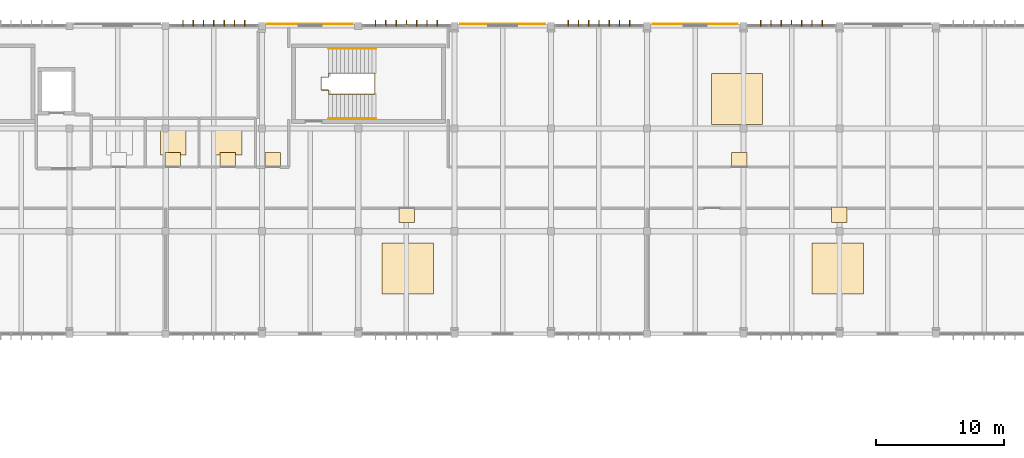
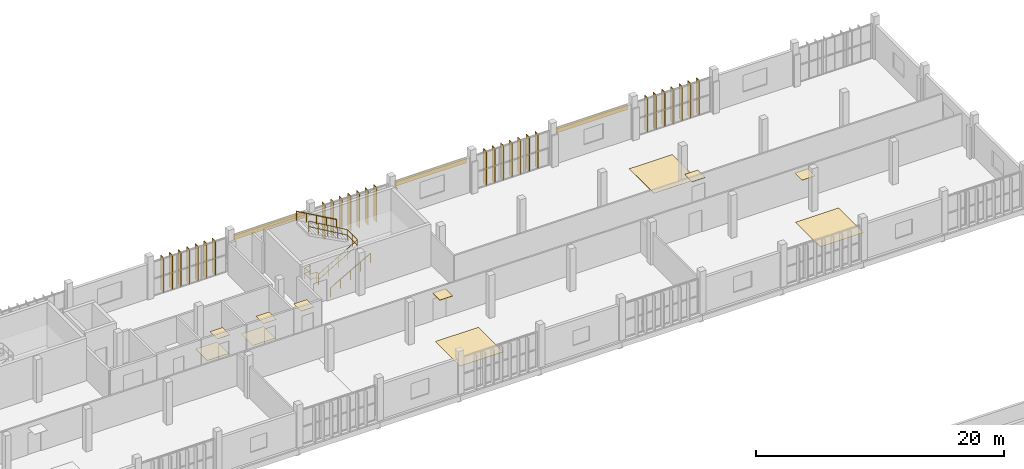
# One storey, part 57 of 61: 28 shading devices, 14 coverings, 4 railings.
"""IFC4 building model written with IfcOpenShell, lengths in metres."""

from ifc_helpers import new_model, si_unit, direction, frame, origin, origin_2d, place, context, subcontext, project, spatial, rectangle, circle, extrude, material, layer, layer_set, material_profile, profile_set, type_object, element, save


model = new_model("IFC4")

# Units and contexts
model_context = context("Model", 3, precision=1e-05, world=origin(), true_north=direction((0.0, 1.0)))
body_context = subcontext(model_context, "Body", "Model", "MODEL_VIEW")
ifc_project = project(units=[si_unit("LENGTHUNIT", "METRE"), si_unit("AREAUNIT", "SQUARE_METRE"), si_unit("VOLUMEUNIT", "CUBIC_METRE"), si_unit("PLANEANGLEUNIT", "RADIAN"), si_unit("MASSUNIT", "GRAM", prefix="KILO")], contexts=[model_context])

# Site, building, storey
site_placement = place(None, origin())
site = spatial("IfcSite", under=ifc_project, at=site_placement, CompositionType="ELEMENT")
building_placement = place(site_placement, origin())
building = spatial("IfcBuilding", under=site, at=building_placement, Name="Vourika Railside Aquatics Centre", CompositionType="ELEMENT")
storey_placement = place(building_placement, frame((0.0, 0.0, 9.300048828125)))
storey = spatial("IfcBuildingStorey", under=building, at=storey_placement, Name="L02", CompositionType="ELEMENT", Elevation=9.300048828125)

# Coverings
ifc_material_1 = material(Name="Perforated moisture-resistant acoustic gypsum ceiling")
ifc_layer_1 = layer(ifc_material_1, 0.02490234375, Name="COV-CEIL-25")
ifc_layer_set_1 = layer_set([ifc_layer_1], Name="Perforated moisture-resistant acoustic gypsum ceiling")
covering_type_1 = type_object("IfcCoveringType", Name="COV-CEIL-25", PredefinedType="CEILING", material=ifc_layer_set_1)
for number, where, z_axis, x_axis, name in (
    (1, (66.534912109375, 105.52001953125, 2.637451171875), (0.0, 0.0, 1.0), (1.0, 0.0, 0.0), "Media and Lab Female WC Acoustic Ceiling Panel"),
    (2, (70.8349609375, 105.52001953125, 2.637451171875), (0.0, 0.0, 1.0), (1.0, 0.0, 0.0), "Media and Lab Accessible WC Acoustic Ceiling Panel"),
    (3, (84.77490234375, 101.280029296875, 2.637451171875), (0.0, 0.0, 1.0), (1.0, 0.0, 0.0), "Aquatic Biomechanics Motion-Capture Laboratory Acoustic Ceiling Panel"),
    (4, (118.467529296875, 101.280029296875, 2.637451171875), (0.0, 0.0, 1.0), (1.0, 0.0, 0.0), "Exercise Physiology and VO2 Testing Laboratory Acoustic Ceiling Panel"),
    (5, (110.6923828125, 105.52001953125, 2.637451171875), (0.0, 0.0, 1.0), (1.0, 0.0, 0.0), "Rehabilitation Gait and Isokinetic Laboratory Acoustic Ceiling Panel"),
    (6, (74.3349609375, 105.52001953125, 2.637451171875), (0.0, 0.0, 1.0), (1.0, 0.0, 0.0), "Calibration and Telemetry Equipment Store Acoustic Ceiling Panel"),
):
    element("IfcCovering", number, at=place(storey_placement, frame(where, z_axis=z_axis, x_axis=x_axis)), inside=storey, type_object=covering_type_1, Name=name, PredefinedType="CEILING", context=body_context, shape_type="SweptSolid", body=[
        extrude(rectangle(XDim=1.199951171875, YDim=1.199951171875, at=origin_2d()), origin(), (0.0, 0.0, 1.0), 0.02490234375),
    ])
ifc_material_2 = material(Name="Bronze-anodized aluminium rainscreen", Category="aluminium")
ifc_layer_2 = layer(ifc_material_2, 0.044921875, Name="COV-CLAD-45")
ifc_layer_set_2 = layer_set([ifc_layer_2], Name="Bronze-anodized aluminium rainscreen")
covering_type_2 = type_object("IfcCoveringType", Name="COV-CLAD-45", PredefinedType="CLADDING", material=ifc_layer_set_2)
for number, where, z_axis, x_axis, name in (
    (7, (77.25, 116.155029296875, 2.794921875), (0.0, 0.0, 1.0), (-1.0, 0.0, 0.0), "Perforated Bronze Rainscreen Band CL-059"),
    (8, (92.25, 116.155029296875, 2.794921875), (0.0, 0.0, 1.0), (-1.0, 0.0, 0.0), "Perforated Bronze Rainscreen Band CL-060"),
    (9, (107.25, 116.155029296875, 2.78515625), (0.0, 0.0, 1.0), (-1.0, 0.0, 0.0), "Perforated Bronze Rainscreen Band CL-061"),
):
    element("IfcCovering", number, at=place(storey_placement, frame(where, z_axis=z_axis, x_axis=x_axis)), inside=storey, type_object=covering_type_2, Name=name, PredefinedType="CLADDING", context=body_context, shape_type="SweptSolid", body=[
        extrude(rectangle(XDim=6.64990234375, YDim=0.044921875, at=origin_2d()), origin(), (0.0, 0.0, 1.0), 0.550048828125),
    ])
ifc_material_3 = material(Name="Slip-resistant aqua ceramic sports flooring")
ifc_layer_3 = layer(ifc_material_3, 0.02001953125, Name="COV-FLOR-20")
ifc_layer_set_3 = layer_set([ifc_layer_3], Name="Slip-resistant aqua ceramic sports flooring")
covering_type_3 = type_object("IfcCoveringType", Name="COV-FLOR-20", PredefinedType="FLOORING", material=ifc_layer_set_3)
covering_1_placement = place(storey_placement, frame((66.60009765625, 106.89990234375, 0.0), z_axis=(0.0, 0.0, 1.0), x_axis=(1.0, 0.0, 0.0)))
element("IfcCovering", 10, at=covering_1_placement, inside=storey, type_object=covering_type_3, Name="Media and Lab Female WC Sports Flooring Panel", PredefinedType="FLOORING", context=body_context, shape_type="SweptSolid", body=[
    extrude(rectangle(XDim=2.0, YDim=1.89990234375, at=origin_2d()), origin(), (0.0, 0.0, 1.0), 0.02001953125),
])
covering_2_placement = place(storey_placement, frame((70.89990234375, 106.89990234375, 0.0), z_axis=(0.0, 0.0, 1.0), x_axis=(1.0, 0.0, 0.0)))
element("IfcCovering", 11, at=covering_2_placement, inside=storey, type_object=covering_type_3, Name="Media and Lab Accessible WC Sports Flooring Panel", PredefinedType="FLOORING", context=body_context, shape_type="SweptSolid", body=[
    extrude(rectangle(XDim=2.10009765625, YDim=1.89990234375, at=origin_2d()), origin(), (0.0, 0.0, 1.0), 0.02001953125),
])
for number, where, z_axis, x_axis, name in (
    (12, (84.85009765625, 97.10009765625, 0.0), (0.0, 0.0, 1.0), (1.0, 0.0, 0.0), "Aquatic Biomechanics Motion-Capture Laboratory Sports Flooring Panel"),
    (13, (118.35009765625, 97.10009765625, 0.0), (0.0, 0.0, 1.0), (1.0, 0.0, 0.0), "Exercise Physiology and VO2 Testing Laboratory Sports Flooring Panel"),
    (14, (110.5, 110.300048828125, 0.0), (0.0, 0.0, 1.0), (1.0, 0.0, 0.0), "Rehabilitation Gait and Isokinetic Laboratory Sports Flooring Panel"),
):
    element("IfcCovering", number, at=place(storey_placement, frame(where, z_axis=z_axis, x_axis=x_axis)), inside=storey, type_object=covering_type_3, Name=name, PredefinedType="FLOORING", context=body_context, shape_type="SweptSolid", body=[
        extrude(rectangle(XDim=4.0, YDim=4.0, at=origin_2d()), origin(), (0.0, 0.0, 1.0), 0.02001953125),
    ])

# Railings
ifc_material_4 = material(Name="Duplex stainless steel EN 1.4462", Category="steel")
railing_type_1 = type_object("IfcRailingType", Name="RL-HAND-920", PredefinedType="HANDRAIL", material=ifc_material_4)
railing_1_placement = place(storey_placement, frame((78.699951171875, 108.760009765625, 0.0)))
element("IfcRailing", 15, at=railing_1_placement, inside=storey, type_object=railing_type_1, Name="Protected Exit Stair Core ST03 Lower Wall Handrail (L02)", PredefinedType="HANDRAIL", context=body_context, shape_type="SweptSolid", body=[
    extrude(circle(Radius=0.02392578125, at=origin_2d()), frame((0.0, 0.0, 0.89599609375), z_axis=(0.869473936924, 0.0, 0.493978818382), x_axis=(0.0, 1.0, 0.0)), (0.0, 0.0, 1.0), 4.2509765625),
    extrude(circle(Radius=0.02099609375, at=origin_2d()), origin(), (0.0, 0.0, 1.0), 0.871826171875),
    extrude(circle(Radius=0.02099609375, at=origin_2d()), frame((0.924072265625, 0.0, 0.52490234375)), (0.0, 0.0, 1.0), 0.871826171875),
    extrude(circle(Radius=0.02099609375, at=origin_2d()), frame((1.84814453125, 0.0, 1.0498046875)), (0.0, 0.0, 1.0), 0.871826171875),
    extrude(circle(Radius=0.02099609375, at=origin_2d()), frame((2.77197265625, 0.0, 1.574951171875)), (0.0, 0.0, 1.0), 0.871826171875),
    extrude(circle(Radius=0.02099609375, at=origin_2d()), frame((3.696044921875, 0.0, 2.099853515625)), (0.0, 0.0, 1.0), 0.871826171875),
])
railing_2_placement = place(storey_placement, frame((82.39599609375, 114.239990234375, 2.099853515625)))
element("IfcRailing", 16, at=railing_2_placement, inside=storey, type_object=railing_type_1, Name="Protected Exit Stair Core ST03 Upper Wall Handrail (L02)", PredefinedType="HANDRAIL", context=body_context, shape_type="SweptSolid", body=[
    extrude(circle(Radius=0.02392578125, at=origin_2d()), frame((0.0, 0.0, 0.89599609375), z_axis=(-0.869449269089, 0.0, 0.494022234804), x_axis=(0.0, -1.0, 0.0)), (0.0, 0.0, 1.0), 4.2509765625),
    extrude(circle(Radius=0.02099609375, at=origin_2d()), origin(), (0.0, 0.0, 1.0), 0.871826171875),
    extrude(circle(Radius=0.02099609375, at=origin_2d()), frame((-0.924072265625, 0.0, 0.52490234375)), (0.0, 0.0, 1.0), 0.871826171875),
    extrude(circle(Radius=0.02099609375, at=origin_2d()), frame((-1.84814453125, 0.0, 1.050048828125)), (0.0, 0.0, 1.0), 0.871826171875),
    extrude(circle(Radius=0.02099609375, at=origin_2d()), frame((-2.77197265625, 0.0, 1.5751953125)), (0.0, 0.0, 1.0), 0.871826171875),
    extrude(circle(Radius=0.02099609375, at=origin_2d()), frame((-3.696044921875, 0.0, 2.10009765625)), (0.0, 0.0, 1.0), 0.871826171875),
])
railing_type_2 = type_object("IfcRailingType", Name="RL-STAIR-1120", PredefinedType="BALUSTRADE", material=ifc_material_4)
railing_3_placement = place(storey_placement, frame((78.699951171875, 110.75, 0.0)))
element("IfcRailing", 17, at=railing_3_placement, inside=storey, type_object=railing_type_2, Name="Protected Exit Stair Core ST03 Well Edge Guard (L02)", PredefinedType="BALUSTRADE", context=body_context, shape_type="SweptSolid", body=[
    extrude(circle(Radius=0.02392578125, at=origin_2d()), frame((0.0, 0.0, 1.09619140625), z_axis=(0.0, 1.0, 0.0), x_axis=(-1.0, 0.0, 0.0)), (0.0, 0.0, 1.0), 0.25),
    extrude(circle(Radius=0.02392578125, at=origin_2d()), frame((0.0, 0.0, 0.56005859375), z_axis=(0.0, 1.0, 0.0), x_axis=(-1.0, 0.0, 0.0)), (0.0, 0.0, 1.0), 0.25),
    extrude(circle(Radius=0.02392578125, at=origin_2d()), frame((0.0, 0.25, 1.09619140625), z_axis=(-1.0, 0.0, 0.0), x_axis=(0.0, -1.0, 0.0)), (0.0, 0.0, 1.0), 0.570068359375),
    extrude(circle(Radius=0.02392578125, at=origin_2d()), frame((0.0, 0.25, 0.56005859375), z_axis=(-1.0, 0.0, 0.0), x_axis=(0.0, -1.0, 0.0)), (0.0, 0.0, 1.0), 0.570068359375),
    extrude(circle(Radius=0.02392578125, at=origin_2d()), frame((-0.570068359375, 0.25, 1.09619140625), z_axis=(0.0, 1.0, 0.0), x_axis=(-1.0, 0.0, 0.0)), (0.0, 0.0, 1.0), 1.0),
    extrude(circle(Radius=0.02392578125, at=origin_2d()), frame((-0.570068359375, 0.25, 0.56005859375), z_axis=(0.0, 1.0, 0.0), x_axis=(-1.0, 0.0, 0.0)), (0.0, 0.0, 1.0), 1.0),
    extrude(circle(Radius=0.02392578125, at=origin_2d()), frame((-0.570068359375, 1.25, 1.09619140625), z_axis=(1.0, 0.0, 0.0), x_axis=(0.0, 1.0, 0.0)), (0.0, 0.0, 1.0), 0.570068359375),
    extrude(circle(Radius=0.02392578125, at=origin_2d()), frame((-0.570068359375, 1.25, 0.56005859375), z_axis=(1.0, 0.0, 0.0), x_axis=(0.0, 1.0, 0.0)), (0.0, 0.0, 1.0), 0.570068359375),
    extrude(circle(Radius=0.02392578125, at=origin_2d()), frame((0.0, 1.25, 1.09619140625), z_axis=(0.0, 1.0, 0.0), x_axis=(-1.0, 0.0, 0.0)), (0.0, 0.0, 1.0), 0.25),
    extrude(circle(Radius=0.02392578125, at=origin_2d()), frame((0.0, 1.25, 0.56005859375), z_axis=(0.0, 1.0, 0.0), x_axis=(-1.0, 0.0, 0.0)), (0.0, 0.0, 1.0), 0.25),
    extrude(circle(Radius=0.02099609375, at=origin_2d()), origin(), (0.0, 0.0, 1.0), 1.072021484375),
    extrude(circle(Radius=0.02099609375, at=origin_2d()), frame((0.0, 0.25, 0.0)), (0.0, 0.0, 1.0), 1.072021484375),
    extrude(circle(Radius=0.02099609375, at=origin_2d()), frame((-0.570068359375, 0.25, 0.0)), (0.0, 0.0, 1.0), 1.072021484375),
    extrude(circle(Radius=0.02099609375, at=origin_2d()), frame((-0.570068359375, 1.25, 0.0)), (0.0, 0.0, 1.0), 1.072021484375),
    extrude(circle(Radius=0.02099609375, at=origin_2d()), frame((0.0, 1.25, 0.0)), (0.0, 0.0, 1.0), 1.072021484375),
    extrude(circle(Radius=0.02099609375, at=origin_2d()), frame((0.0, 1.5, 0.0)), (0.0, 0.0, 1.0), 1.072021484375),
])
railing_4_placement = place(storey_placement, frame((78.699951171875, 110.679931640625, 0.0)))
element("IfcRailing", 18, at=railing_4_placement, inside=storey, type_object=railing_type_2, Name="Protected Exit Stair Core ST03 Center Well Guard (L02)", PredefinedType="BALUSTRADE", context=body_context, shape_type="SweptSolid", body=[
    extrude(circle(Radius=0.02392578125, at=origin_2d()), frame((0.0, 0.0, 1.09619140625), z_axis=(0.863547027374, 0.0, 0.504268313018), x_axis=(0.0, 1.0, 0.0)), (0.0, 0.0, 1.0), 4.1640625),
    extrude(circle(Radius=0.02392578125, at=origin_2d()), frame((0.0, 0.0, 0.56005859375), z_axis=(0.863547027374, 0.0, 0.504268313018), x_axis=(0.0, 1.0, 0.0)), (0.0, 0.0, 1.0), 4.1640625),
    extrude(circle(Radius=0.02392578125, at=origin_2d()), frame((3.595947265625, 0.0, 3.19580078125), z_axis=(0.0, 1.0, 0.0), x_axis=(-1.0, 0.0, 0.0)), (0.0, 0.0, 1.0), 1.64013671875),
    extrude(circle(Radius=0.02392578125, at=origin_2d()), frame((3.595947265625, 0.0, 2.659912109375), z_axis=(0.0, 1.0, 0.0), x_axis=(-1.0, 0.0, 0.0)), (0.0, 0.0, 1.0), 1.64013671875),
    extrude(circle(Radius=0.02392578125, at=origin_2d()), frame((3.595947265625, 1.64013671875, 3.19580078125), z_axis=(-0.863521496458, 0.0, 0.504312031539), x_axis=(0.0, -1.0, 0.0)), (0.0, 0.0, 1.0), 4.164306640625),
    extrude(circle(Radius=0.02392578125, at=origin_2d()), frame((3.595947265625, 1.64013671875, 2.659912109375), z_axis=(-0.863521496458, 0.0, 0.504312031539), x_axis=(0.0, -1.0, 0.0)), (0.0, 0.0, 1.0), 4.164306640625),
    extrude(circle(Radius=0.02099609375, at=origin_2d()), origin(), (0.0, 0.0, 1.0), 1.072021484375),
    extrude(circle(Radius=0.02099609375, at=origin_2d()), frame((0.89892578125, 0.0, 0.52490234375)), (0.0, 0.0, 1.0), 1.072021484375),
    extrude(circle(Radius=0.02099609375, at=origin_2d()), frame((1.7978515625, 0.0, 1.0498046875)), (0.0, 0.0, 1.0), 1.072021484375),
    extrude(circle(Radius=0.02099609375, at=origin_2d()), frame((2.697021484375, 0.0, 1.574951171875)), (0.0, 0.0, 1.0), 1.072021484375),
    extrude(circle(Radius=0.02099609375, at=origin_2d()), frame((3.595947265625, 0.0, 2.099853515625)), (0.0, 0.0, 1.0), 1.072021484375),
    extrude(circle(Radius=0.02099609375, at=origin_2d()), frame((3.595947265625, 0.820068359375, 2.099853515625)), (0.0, 0.0, 1.0), 1.072021484375),
    extrude(circle(Radius=0.02099609375, at=origin_2d()), frame((3.595947265625, 1.64013671875, 2.099853515625)), (0.0, 0.0, 1.0), 1.072021484375),
    extrude(circle(Radius=0.02099609375, at=origin_2d()), frame((2.697021484375, 1.64013671875, 2.625)), (0.0, 0.0, 1.0), 1.072021484375),
    extrude(circle(Radius=0.02099609375, at=origin_2d()), frame((1.7978515625, 1.64013671875, 3.14990234375)), (0.0, 0.0, 1.0), 1.072021484375),
    extrude(circle(Radius=0.02099609375, at=origin_2d()), frame((0.89892578125, 1.64013671875, 3.6748046875)), (0.0, 0.0, 1.0), 1.072021484375),
    extrude(circle(Radius=0.02099609375, at=origin_2d()), frame((0.0, 1.64013671875, 4.199951171875)), (0.0, 0.0, 1.0), 1.072021484375),
])

# Shading devices
ifc_material_5 = material(Name="Bronze-anodized extruded aluminium", Category="aluminium")
ifc_material_profile = material_profile(ifc_material_5, rectangle(XDim=0.06005859375, YDim=0.47998046875, at=origin_2d()), Name="ALU-FIN 60x480")
ifc_profile_set = profile_set([ifc_material_profile], Name="Bronze-anodized extruded aluminium")
shading_device_type = type_object("IfcShadingDeviceType", Name="SHD-FIN-F48A", PredefinedType="USERDEFINED", material=ifc_profile_set)
for number, where, z_axis, x_axis, name in (
    (19, (67.35009765625, 116.215087890625, 0.0), (0.0, 0.0, 1.0), (1.0, 0.0, 0.0), "Vertical Solar Fin VSF-0887"),
    (20, (68.14990234375, 116.215087890625, 0.0), (0.0, 0.0, 1.0), (1.0, 0.0, 0.0), "Vertical Solar Fin VSF-0888"),
    (21, (68.949951171875, 116.215087890625, 0.0), (0.0, 0.0, 1.0), (1.0, 0.0, 0.0), "Vertical Solar Fin VSF-0889"),
    (22, (69.75, 116.215087890625, 0.0), (0.0, 0.0, 1.0), (1.0, 0.0, 0.0), "Vertical Solar Fin VSF-0890"),
    (23, (70.550048828125, 116.215087890625, 0.0), (0.0, 0.0, 1.0), (1.0, 0.0, 0.0), "Vertical Solar Fin VSF-0891"),
    (24, (71.35009765625, 116.215087890625, 0.0), (0.0, 0.0, 1.0), (1.0, 0.0, 0.0), "Vertical Solar Fin VSF-0892"),
    (25, (72.14990234375, 116.215087890625, 0.0), (0.0, 0.0, 1.0), (1.0, 0.0, 0.0), "Vertical Solar Fin VSF-0893"),
    (26, (82.35009765625, 116.215087890625, 0.0), (0.0, 0.0, 1.0), (1.0, 0.0, 0.0), "Vertical Solar Fin VSF-0894"),
    (27, (83.14990234375, 116.215087890625, 0.0), (0.0, 0.0, 1.0), (1.0, 0.0, 0.0), "Vertical Solar Fin VSF-0895"),
    (28, (83.949951171875, 116.215087890625, 0.0), (0.0, 0.0, 1.0), (1.0, 0.0, 0.0), "Vertical Solar Fin VSF-0896"),
    (29, (84.75, 116.215087890625, 0.0), (0.0, 0.0, 1.0), (1.0, 0.0, 0.0), "Vertical Solar Fin VSF-0897"),
    (30, (85.550048828125, 116.215087890625, 0.0), (0.0, 0.0, 1.0), (1.0, 0.0, 0.0), "Vertical Solar Fin VSF-0898"),
    (31, (86.35009765625, 116.215087890625, 0.0), (0.0, 0.0, 1.0), (1.0, 0.0, 0.0), "Vertical Solar Fin VSF-0899"),
    (32, (87.14990234375, 116.215087890625, 0.0), (0.0, 0.0, 1.0), (1.0, 0.0, 0.0), "Vertical Solar Fin VSF-0900"),
):
    element("IfcShadingDevice", number, at=place(storey_placement, frame(where, z_axis=z_axis, x_axis=x_axis)), inside=storey, type_object=shading_device_type, Name=name, ObjectType="FIN", PredefinedType="USERDEFINED", context=body_context, shape_type="SweptSolid", body=[
        extrude(rectangle(XDim=0.06005859375, YDim=0.47998046875, at=origin_2d()), origin(), (0.0, 0.0, 1.0), 3.419921875),
    ])
for number, where, z_axis, x_axis, name in (
    (33, (97.35009765625, 116.215087890625, 0.0), (0.0, 0.0, 1.0), (1.0, 0.0, 0.0), "Vertical Solar Fin VSF-0901"),
    (34, (98.14990234375, 116.215087890625, 0.0), (0.0, 0.0, 1.0), (1.0, 0.0, 0.0), "Vertical Solar Fin VSF-0902"),
    (35, (98.949951171875, 116.215087890625, 0.0), (0.0, 0.0, 1.0), (1.0, 0.0, 0.0), "Vertical Solar Fin VSF-0903"),
    (36, (99.75, 116.215087890625, 0.0), (0.0, 0.0, 1.0), (1.0, 0.0, 0.0), "Vertical Solar Fin VSF-0904"),
    (37, (100.550048828125, 116.215087890625, 0.0), (0.0, 0.0, 1.0), (1.0, 0.0, 0.0), "Vertical Solar Fin VSF-0905"),
    (38, (101.35009765625, 116.215087890625, 0.0), (0.0, 0.0, 1.0), (1.0, 0.0, 0.0), "Vertical Solar Fin VSF-0906"),
    (39, (102.14990234375, 116.215087890625, 0.0), (0.0, 0.0, 1.0), (1.0, 0.0, 0.0), "Vertical Solar Fin VSF-0907"),
    (40, (112.35009765625, 116.215087890625, 0.0), (0.0, 0.0, 1.0), (1.0, 0.0, 0.0), "Vertical Solar Fin VSF-0908"),
    (41, (113.14990234375, 116.215087890625, 0.0), (0.0, 0.0, 1.0), (1.0, 0.0, 0.0), "Vertical Solar Fin VSF-0909"),
    (42, (113.949951171875, 116.215087890625, 0.0), (0.0, 0.0, 1.0), (1.0, 0.0, 0.0), "Vertical Solar Fin VSF-0910"),
    (43, (114.75, 116.215087890625, 0.0), (0.0, 0.0, 1.0), (1.0, 0.0, 0.0), "Vertical Solar Fin VSF-0911"),
    (44, (115.550048828125, 116.215087890625, 0.0), (0.0, 0.0, 1.0), (1.0, 0.0, 0.0), "Vertical Solar Fin VSF-0912"),
    (45, (116.35009765625, 116.215087890625, 0.0), (0.0, 0.0, 1.0), (1.0, 0.0, 0.0), "Vertical Solar Fin VSF-0913"),
    (46, (117.14990234375, 116.215087890625, 0.0), (0.0, 0.0, 1.0), (1.0, 0.0, 0.0), "Vertical Solar Fin VSF-0914"),
):
    element("IfcShadingDevice", number, at=place(storey_placement, frame(where, z_axis=z_axis, x_axis=x_axis)), inside=storey, type_object=shading_device_type, Name=name, ObjectType="FIN", PredefinedType="USERDEFINED", context=body_context, shape_type="SweptSolid", body=[
        extrude(rectangle(XDim=0.06005859375, YDim=0.47998046875, at=origin_2d()), origin(), (0.0, 0.0, 1.0), 3.409912109375),
    ])

save(model, "model.ifc")
